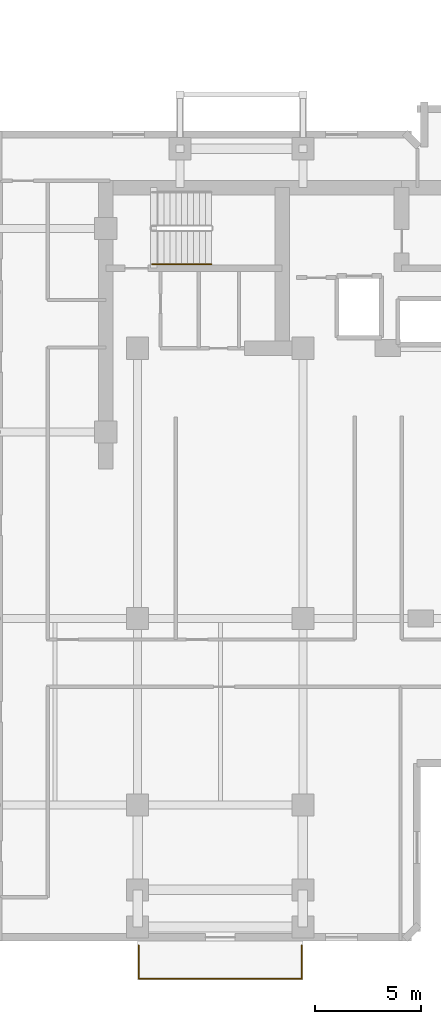
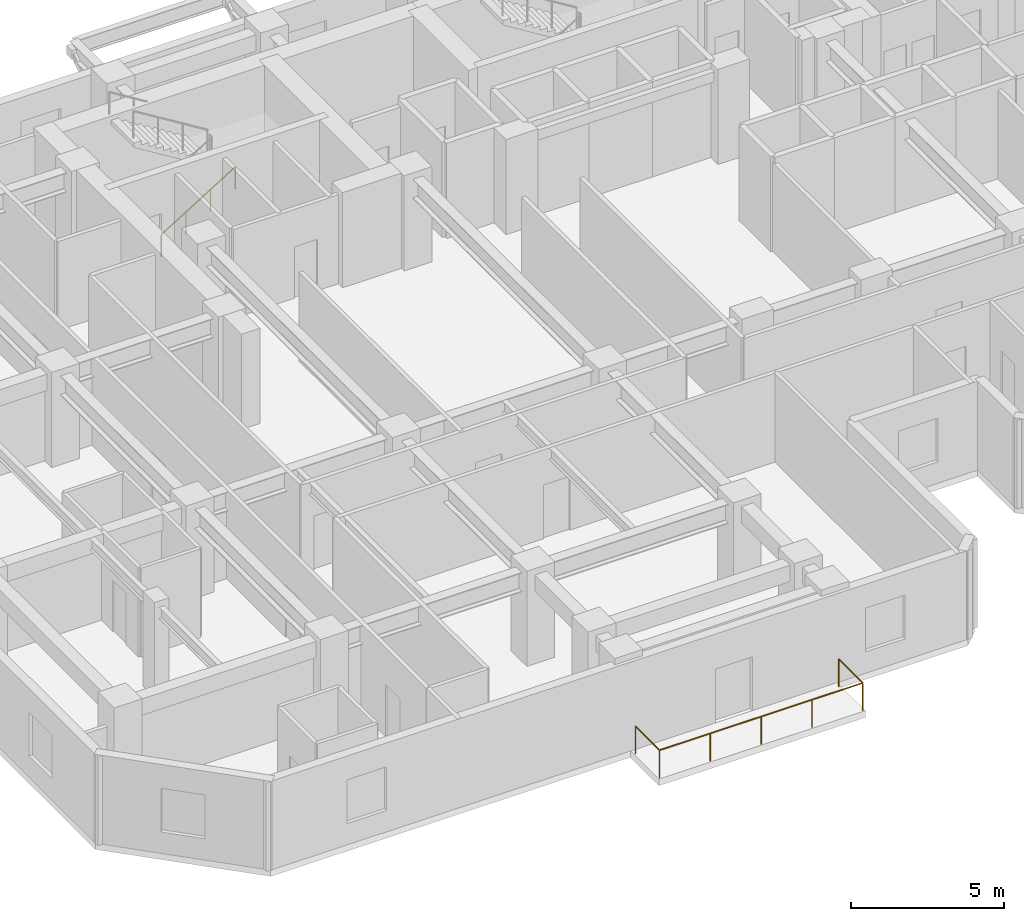
# One storey, part 9 of 10: 3 railings.
"""IFC4 building model written with IfcOpenShell, lengths in metres."""

from ifc_helpers import new_model, si_unit, direction, frame, origin, origin_2d, place, context, subcontext, project, spatial, circle, extrude, material, type_object, element, save


model = new_model("IFC4")

# Units and contexts
model_context = context("Model", 3, precision=1e-05, world=origin(), true_north=direction((0.0, 1.0)))
body_context = subcontext(model_context, "Body", "Model", "MODEL_VIEW")
ifc_project = project(units=[si_unit("LENGTHUNIT", "METRE"), si_unit("AREAUNIT", "SQUARE_METRE"), si_unit("VOLUMEUNIT", "CUBIC_METRE"), si_unit("PLANEANGLEUNIT", "RADIAN"), si_unit("MASSUNIT", "GRAM", prefix="KILO")], contexts=[model_context])

# Site, building, storey
site_placement = place(None, origin())
site = spatial("IfcSite", under=ifc_project, at=site_placement, CompositionType="ELEMENT")
building_placement = place(site_placement, origin())
building = spatial("IfcBuilding", under=site, at=building_placement, Name="Kestravale Grand Hotel", CompositionType="ELEMENT")
storey_placement = place(building_placement, frame((0.0, 0.0, 138.39990234375)))
storey = spatial("IfcBuildingStorey", under=building, at=storey_placement, Name="L34", CompositionType="ELEMENT", Elevation=138.39990234375)

# Railings
ifc_material_1 = material(Name="Champagne-bronze stainless steel and laminated glass guard", Category="steel")
railing_type_1 = type_object("IfcRailingType", Name="RL-EXT-1100", PredefinedType="GUARDRAIL", material=ifc_material_1)
railing_1_placement = place(storey_placement, frame((23.4599609375, 3.010009765625, 0.0)))
element("IfcRailing", 1, at=railing_1_placement, inside=storey, type_object=railing_type_1, Name="L34 outdoor terrace guard 1", PredefinedType="GUARDRAIL", context=body_context, shape_type="SweptSolid", body=[
    extrude(circle(Radius=0.02392578125, at=origin_2d()), frame((0.0, 0.0, 1.09619140625), z_axis=(0.0, 1.0, 0.0), x_axis=(-1.0, 0.0, 0.0)), (0.0, 0.0, 1.0), 1.570068359375),
    extrude(circle(Radius=0.02099609375, at=origin_2d()), origin(), (0.0, 0.0, 1.0), 1.072021484375),
    extrude(circle(Radius=0.02099609375, at=origin_2d()), frame((0.0, 1.570068359375, 0.0)), (0.0, 0.0, 1.0), 1.072021484375),
])
railing_2_placement = place(storey_placement, frame((31.139892578125, 4.580078125, 0.0)))
element("IfcRailing", 2, at=railing_2_placement, inside=storey, type_object=railing_type_1, Name="L34 outdoor terrace guard 2", PredefinedType="GUARDRAIL", context=body_context, shape_type="SweptSolid", body=[
    extrude(circle(Radius=0.02392578125, at=origin_2d()), frame((0.0, 0.0, 1.09619140625), z_axis=(0.0, -1.0, 0.0), x_axis=(1.0, 0.0, 0.0)), (0.0, 0.0, 1.0), 1.570068359375),
    extrude(circle(Radius=0.02392578125, at=origin_2d()), frame((0.0, -1.570068359375, 1.09619140625), z_axis=(-1.0, 0.0, 0.0), x_axis=(0.0, -1.0, 0.0)), (0.0, 0.0, 1.0), 7.679931640625),
    extrude(circle(Radius=0.02099609375, at=origin_2d()), origin(), (0.0, 0.0, 1.0), 1.072021484375),
    extrude(circle(Radius=0.02099609375, at=origin_2d()), frame((0.0, -1.570068359375, 0.0)), (0.0, 0.0, 1.0), 1.072021484375),
    extrude(circle(Radius=0.02099609375, at=origin_2d()), frame((-1.919921875, -1.570068359375, 0.0)), (0.0, 0.0, 1.0), 1.072021484375),
    extrude(circle(Radius=0.02099609375, at=origin_2d()), frame((-3.83984375, -1.570068359375, 0.0)), (0.0, 0.0, 1.0), 1.072021484375),
    extrude(circle(Radius=0.02099609375, at=origin_2d()), frame((-5.760009765625, -1.570068359375, 0.0)), (0.0, 0.0, 1.0), 1.072021484375),
    extrude(circle(Radius=0.02099609375, at=origin_2d()), frame((-7.679931640625, -1.570068359375, 0.0)), (0.0, 0.0, 1.0), 1.072021484375),
])
ifc_material_2 = material(Name="Brushed stainless steel wall handrail", Category="steel")
railing_type_2 = type_object("IfcRailingType", Name="RL-ST-HND900", PredefinedType="HANDRAIL", material=ifc_material_2)
railing_3_placement = place(storey_placement, frame((24.080078125, 36.699951171875, 0.1728515625)))
element("IfcRailing", 3, at=railing_3_placement, inside=storey, type_object=railing_type_2, Name="L34 ST-1 stair handrail 1", PredefinedType="HANDRAIL", context=body_context, shape_type="SweptSolid", body=[
    extrude(circle(Radius=0.02392578125, at=origin_2d()), frame((0.0, 0.0, 0.8759765625), z_axis=(0.851069175582, 0.0, 0.525053576669), x_axis=(0.0, 1.0, 0.0)), (0.0, 0.0, 1.0), 3.289794921875),
    extrude(circle(Radius=0.02099609375, at=origin_2d()), origin(), (0.0, 0.0, 1.0), 0.851806640625),
    extrude(circle(Radius=0.02099609375, at=origin_2d()), frame((0.933349609375, 0.0, 0.57568359375)), (0.0, 0.0, 1.0), 0.851806640625),
    extrude(circle(Radius=0.02099609375, at=origin_2d()), frame((1.866455078125, 0.0, 1.151611328125)), (0.0, 0.0, 1.0), 0.851806640625),
    extrude(circle(Radius=0.02099609375, at=origin_2d()), frame((2.7998046875, 0.0, 1.727294921875)), (0.0, 0.0, 1.0), 0.851806640625),
])

save(model, "model.ifc")
